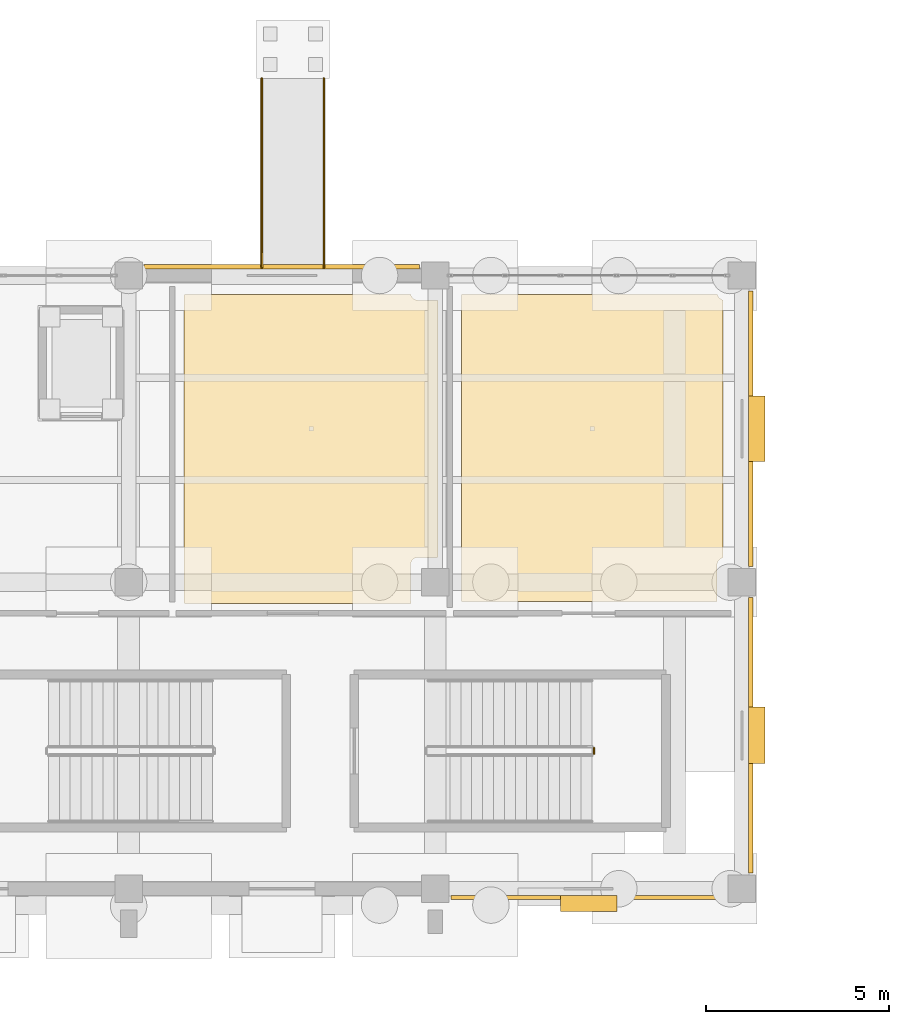
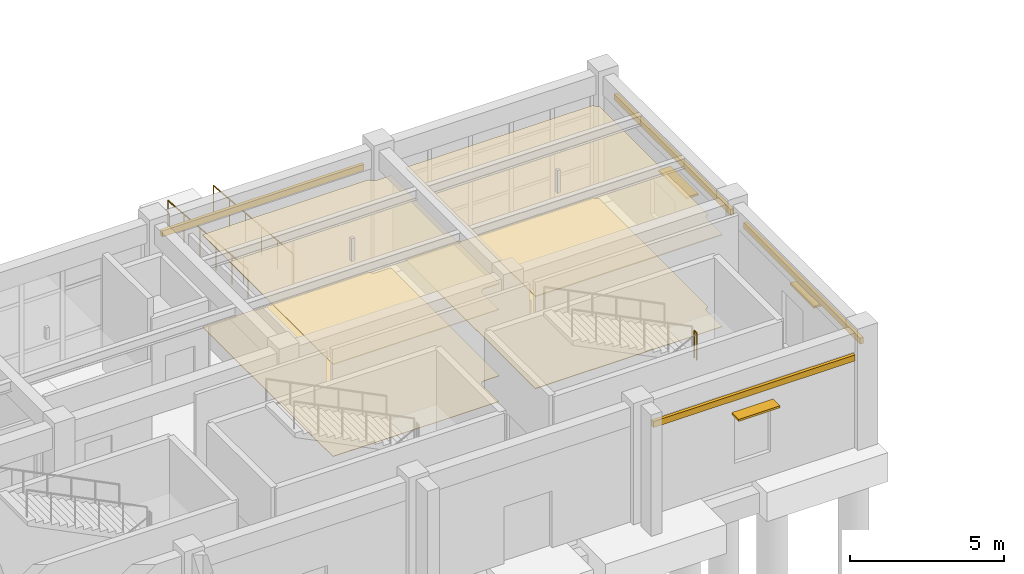
# One storey, part 27 of 29: 8 coverings, 3 railings, 3 shading devices.
"""IFC4 building model written with IfcOpenShell, lengths in metres."""

from ifc_helpers import new_model, si_unit, direction, frame, origin, origin_2d, place, context, subcontext, project, spatial, polyline, rectangle, circle, outline, extrude, material, layer, layer_set, type_object, element, save


model = new_model("IFC4")

# Units and contexts
model_context = context("Model", 3, precision=1e-05, world=origin(), true_north=direction((0.0, 1.0)))
body_context = subcontext(model_context, "Body", "Model", "MODEL_VIEW")
ifc_project = project(units=[si_unit("LENGTHUNIT", "METRE"), si_unit("AREAUNIT", "SQUARE_METRE"), si_unit("VOLUMEUNIT", "CUBIC_METRE"), si_unit("PLANEANGLEUNIT", "RADIAN"), si_unit("MASSUNIT", "GRAM", prefix="KILO")], contexts=[model_context])

# Site, building, storey
site_placement = place(None, origin())
site = spatial("IfcSite", under=ifc_project, at=site_placement, CompositionType="ELEMENT")
building_placement = place(site_placement, origin())
building = spatial("IfcBuilding", under=site, at=building_placement, Name="Canglan Escarpment Cableway Terminal", CompositionType="ELEMENT")
storey_placement = place(building_placement, origin())
storey = spatial("IfcBuildingStorey", under=building, at=storey_placement, Name="L00", CompositionType="ELEMENT", Elevation=0.0)

# Coverings
ifc_material_1 = material(Name="Micro-perforated acoustic aluminium ceiling", Category="aluminium")
ifc_layer_1 = layer(ifc_material_1, 0.0400390625, Name="Micro-perforated acoustic aluminium ceiling")
ifc_layer_set_1 = layer_set([ifc_layer_1], Name="Micro-perforated acoustic aluminium ceiling")
covering_type_1 = type_object("IfcCoveringType", Name="COV-CEIL-ACOUSTIC-40", PredefinedType="CEILING", material=ifc_layer_set_1)
covering_1_placement = place(storey_placement, frame((0.0, 0.0, 3.6298828125)))
element("IfcCovering", 1, at=covering_1_placement, inside=storey, type_object=covering_type_1, Name="Passenger Waiting Lounge suspended acoustic ceiling", PredefinedType="CEILING", context=body_context, shape_type="SweptSolid", body=[
    extrude(outline(polyline([(68.43994140625, 15.8701171875), (68.43798828125, 15.8701171875), (68.43603515625, 15.870361328125), (68.43408203125, 15.870849609375), (68.432373046875, 15.87158203125), (68.4306640625, 15.872314453125), (68.428955078125, 15.873291015625), (68.42724609375, 15.87451171875), (68.42578125, 15.8759765625), (68.424560546875, 15.877197265625), (68.42333984375, 15.87890625), (68.42236328125, 15.880615234375), (68.42138671875, 15.88232421875), (68.4208984375, 15.88427734375), (68.42041015625, 15.885986328125), (68.420166015625, 15.887939453125), (68.419921875, 15.889892578125), (68.419921875, 24.260009765625), (68.420166015625, 24.261962890625), (68.42041015625, 24.263916015625), (68.4208984375, 24.265869140625), (68.42138671875, 24.267578125), (68.42236328125, 24.269287109375), (68.42333984375, 24.27099609375), (68.424560546875, 24.272705078125), (68.42578125, 24.274169921875), (68.42724609375, 24.275390625), (68.428955078125, 24.276611328125), (68.4306640625, 24.277587890625), (68.432373046875, 24.278564453125), (68.43408203125, 24.279052734375), (68.43603515625, 24.279541015625), (68.43798828125, 24.27978515625), (68.43994140625, 24.280029296875), (75.4140625, 24.280029296875), (75.416015625, 24.27978515625), (75.417724609375, 24.279541015625), (75.419677734375, 24.279296875), (75.42138671875, 24.278564453125), (75.423095703125, 24.27783203125), (75.4248046875, 24.27685546875), (75.42626953125, 24.27587890625), (75.427734375, 24.274658203125), (75.428955078125, 24.273193359375), (75.43017578125, 24.271728515625), (75.43115234375, 24.270263671875), (75.43212890625, 24.2685546875), (75.432861328125, 24.2666015625), (75.4365234375, 24.25634765625), (75.43701171875, 24.25537109375), (75.44580078125, 24.23681640625), (75.4462890625, 24.23583984375), (75.456787109375, 24.21826171875), (75.45751953125, 24.21728515625), (75.469482421875, 24.20068359375), (75.47021484375, 24.2001953125), (75.484130859375, 24.184814453125), (75.48486328125, 24.18408203125), (75.5, 24.17041015625), (75.500732421875, 24.169677734375), (75.517333984375, 24.157470703125), (75.518310546875, 24.15673828125), (75.535888671875, 24.146240234375), (75.53662109375, 24.145751953125), (75.555419921875, 24.136962890625), (75.556396484375, 24.13671875), (75.566650390625, 24.1328125), (75.568603515625, 24.132080078125), (75.5703125, 24.131103515625), (75.57177734375, 24.130126953125), (75.5732421875, 24.12890625), (75.57470703125, 24.127685546875), (75.57568359375, 24.126220703125), (75.576904296875, 24.124755859375), (75.577880859375, 24.123046875), (75.57861328125, 24.121337890625), (75.5791015625, 24.11962890625), (75.57958984375, 24.117919921875), (75.579833984375, 24.115966796875), (75.580078125, 24.114013671875), (75.580078125, 17.0859375), (75.579833984375, 17.083984375), (75.57958984375, 17.082275390625), (75.5791015625, 17.080322265625), (75.57861328125, 17.07861328125), (75.577880859375, 17.076904296875), (75.576904296875, 17.0751953125), (75.57568359375, 17.07373046875), (75.57470703125, 17.072265625), (75.5732421875, 17.071044921875), (75.57177734375, 17.06982421875), (75.5703125, 17.06884765625), (75.568603515625, 17.06787109375), (75.566650390625, 17.067138671875), (75.556396484375, 17.0634765625), (75.555419921875, 17.06298828125), (75.53662109375, 17.05419921875), (75.535888671875, 17.0537109375), (75.518310546875, 17.043212890625), (75.517333984375, 17.04248046875), (75.500732421875, 17.030517578125), (75.5, 17.02978515625), (75.48486328125, 17.015869140625), (75.484130859375, 17.01513671875), (75.47021484375, 17.0), (75.469482421875, 16.999267578125), (75.45751953125, 16.982666015625), (75.456787109375, 16.981689453125), (75.4462890625, 16.964111328125), (75.44580078125, 16.96337890625), (75.43701171875, 16.944580078125), (75.4365234375, 16.943603515625), (75.4296875, 16.92431640625), (75.429443359375, 16.92333984375), (75.42431640625, 16.9033203125), (75.42431640625, 16.90234375), (75.421142578125, 16.882080078125), (75.4208984375, 16.881103515625), (75.419921875, 16.860107421875), (75.419921875, 16.85986328125), (75.419921875, 15.940185546875), (75.419921875, 15.939697265625), (75.4208984375, 15.9189453125), (75.421142578125, 15.91796875), (75.42431640625, 15.897705078125), (75.42431640625, 15.896484375), (75.4248046875, 15.89501953125), (75.42529296875, 15.89306640625), (75.42529296875, 15.89111328125), (75.42529296875, 15.88916015625), (75.42529296875, 15.88720703125), (75.4248046875, 15.885498046875), (75.42431640625, 15.883544921875), (75.423583984375, 15.8818359375), (75.422607421875, 15.880126953125), (75.421630859375, 15.87841796875), (75.42041015625, 15.876953125), (75.419189453125, 15.87548828125), (75.417724609375, 15.874267578125), (75.416259765625, 15.873291015625), (75.41455078125, 15.872314453125), (75.412841796875, 15.871337890625), (75.410888671875, 15.870849609375), (75.4091796875, 15.870361328125), (75.4072265625, 15.8701171875), (75.405517578125, 15.8701171875), (68.43994140625, 15.8701171875)])), origin(), (0.0, 0.0, 1.0), 0.0400390625),
])
ifc_material_2 = material(Name="Moisture-resistant acoustic gypsum ceiling", Category="gypsum")
ifc_layer_2 = layer(ifc_material_2, 0.030029296875, Name="Moisture-resistant acoustic gypsum ceiling")
ifc_layer_set_2 = layer_set([ifc_layer_2], Name="Moisture-resistant acoustic gypsum ceiling")
covering_type_2 = type_object("IfcCoveringType", Name="COV-CEIL-GYPSUM-30", PredefinedType="CEILING", material=ifc_layer_set_2)
covering_2_placement = place(storey_placement, frame((0.0, 0.0, 3.639892578125)))
element("IfcCovering", 2, at=covering_2_placement, inside=storey, type_object=covering_type_2, Name="Retail Bookshop suspended acoustic ceiling", PredefinedType="CEILING", context=body_context, shape_type="SweptSolid", body=[
    extrude(outline(polyline([(60.840087890625, 15.820068359375), (60.837890625, 15.820068359375), (60.836181640625, 15.8203125), (60.834228515625, 15.82080078125), (60.832275390625, 15.821533203125), (60.83056640625, 15.822509765625), (60.828857421875, 15.823486328125), (60.827392578125, 15.824462890625), (60.825927734375, 15.825927734375), (60.824462890625, 15.827392578125), (60.823486328125, 15.828857421875), (60.822509765625, 15.83056640625), (60.821533203125, 15.832275390625), (60.82080078125, 15.834228515625), (60.8203125, 15.836181640625), (60.820068359375, 15.837890625), (60.820068359375, 15.840087890625), (60.820068359375, 24.260009765625), (60.820068359375, 24.261962890625), (60.8203125, 24.263916015625), (60.82080078125, 24.265869140625), (60.821533203125, 24.267578125), (60.822509765625, 24.269287109375), (60.823486328125, 24.27099609375), (60.824462890625, 24.272705078125), (60.825927734375, 24.274169921875), (60.827392578125, 24.275390625), (60.828857421875, 24.276611328125), (60.83056640625, 24.277587890625), (60.832275390625, 24.278564453125), (60.834228515625, 24.279052734375), (60.836181640625, 24.279541015625), (60.837890625, 24.27978515625), (60.840087890625, 24.280029296875), (67.013916015625, 24.280029296875), (67.015869140625, 24.27978515625), (67.017822265625, 24.279541015625), (67.01953125, 24.279296875), (67.021484375, 24.278564453125), (67.023193359375, 24.27783203125), (67.024658203125, 24.27685546875), (67.0263671875, 24.27587890625), (67.027587890625, 24.274658203125), (67.029052734375, 24.273193359375), (67.0302734375, 24.271728515625), (67.03125, 24.270263671875), (67.031982421875, 24.2685546875), (67.03271484375, 24.2666015625), (67.03662109375, 24.25634765625), (67.037109375, 24.25537109375), (67.0458984375, 24.23681640625), (67.046142578125, 24.23583984375), (67.056884765625, 24.21826171875), (67.057373046875, 24.21728515625), (67.069580078125, 24.20068359375), (67.0703125, 24.2001953125), (67.083984375, 24.184814453125), (67.084716796875, 24.18408203125), (67.10009765625, 24.17041015625), (67.100830078125, 24.169677734375), (67.117431640625, 24.157470703125), (67.1181640625, 24.15673828125), (67.135986328125, 24.146240234375), (67.13671875, 24.145751953125), (67.155517578125, 24.136962890625), (67.15625, 24.13671875), (67.17578125, 24.129638671875), (67.176513671875, 24.12939453125), (67.196533203125, 24.124267578125), (67.197509765625, 24.124267578125), (67.218017578125, 24.12109375), (67.218994140625, 24.12109375), (67.23974609375, 24.1201171875), (67.240234375, 24.1201171875), (67.760009765625, 24.1201171875), (67.761962890625, 24.119873046875), (67.763916015625, 24.11962890625), (67.765869140625, 24.119140625), (67.767578125, 24.118408203125), (67.769287109375, 24.11767578125), (67.77099609375, 24.11669921875), (67.772705078125, 24.115478515625), (67.774169921875, 24.114013671875), (67.775390625, 24.11279296875), (67.776611328125, 24.111083984375), (67.777587890625, 24.109375), (67.778564453125, 24.107666015625), (67.779052734375, 24.105712890625), (67.779541015625, 24.10400390625), (67.77978515625, 24.10205078125), (67.780029296875, 24.10009765625), (67.780029296875, 17.10009765625), (67.77978515625, 17.097900390625), (67.779541015625, 17.09619140625), (67.779052734375, 17.09423828125), (67.778564453125, 17.09228515625), (67.777587890625, 17.090576171875), (67.776611328125, 17.0888671875), (67.775390625, 17.08740234375), (67.774169921875, 17.0859375), (67.772705078125, 17.08447265625), (67.77099609375, 17.08349609375), (67.769287109375, 17.08251953125), (67.767578125, 17.08154296875), (67.765869140625, 17.080810546875), (67.763916015625, 17.080322265625), (67.761962890625, 17.080078125), (67.760009765625, 17.080078125), (67.240234375, 17.080078125), (67.23974609375, 17.080078125), (67.218994140625, 17.0791015625), (67.218017578125, 17.078857421875), (67.197509765625, 17.07568359375), (67.196533203125, 17.07568359375), (67.176513671875, 17.070556640625), (67.17578125, 17.0703125), (67.15625, 17.0634765625), (67.155517578125, 17.06298828125), (67.13671875, 17.05419921875), (67.135986328125, 17.0537109375), (67.1181640625, 17.043212890625), (67.117431640625, 17.04248046875), (67.100830078125, 17.030517578125), (67.10009765625, 17.02978515625), (67.084716796875, 17.015869140625), (67.083984375, 17.01513671875), (67.0703125, 17.0), (67.069580078125, 16.999267578125), (67.057373046875, 16.982666015625), (67.056884765625, 16.981689453125), (67.046142578125, 16.964111328125), (67.0458984375, 16.96337890625), (67.037109375, 16.944580078125), (67.03662109375, 16.943603515625), (67.029541015625, 16.92431640625), (67.029296875, 16.92333984375), (67.0244140625, 16.9033203125), (67.024169921875, 16.90234375), (67.02099609375, 16.882080078125), (67.02099609375, 16.881103515625), (67.02001953125, 16.860107421875), (67.02001953125, 16.85986328125), (67.02001953125, 15.940185546875), (67.02001953125, 15.939697265625), (67.02099609375, 15.9189453125), (67.02099609375, 15.91796875), (67.024169921875, 15.897705078125), (67.0244140625, 15.896484375), (67.029296875, 15.876708984375), (67.029541015625, 15.875732421875), (67.03662109375, 15.856201171875), (67.037109375, 15.85546875), (67.040283203125, 15.8486328125), (67.041015625, 15.8466796875), (67.04150390625, 15.8447265625), (67.0419921875, 15.8427734375), (67.0419921875, 15.8408203125), (67.0419921875, 15.8388671875), (67.041748046875, 15.8369140625), (67.04150390625, 15.834716796875), (67.040771484375, 15.8330078125), (67.0400390625, 15.8310546875), (67.0390625, 15.829345703125), (67.037841796875, 15.82763671875), (67.03662109375, 15.826171875), (67.03515625, 15.82470703125), (67.033447265625, 15.823486328125), (67.03173828125, 15.822509765625), (67.02978515625, 15.821533203125), (67.028076171875, 15.82080078125), (67.026123046875, 15.8203125), (67.024169921875, 15.820068359375), (67.022216796875, 15.820068359375), (60.840087890625, 15.820068359375)])), origin(), (0.0, 0.0, 1.0), 0.030029296875),
])
ifc_material_3 = material(Name="Carved classical limestone cornice", Category="masonry")
ifc_layer_3 = layer(ifc_material_3, 0.1201171875, Name="Carved classical limestone cornice")
ifc_layer_set_3 = layer_set([ifc_layer_3], Name="Carved classical limestone cornice")
covering_type_3 = type_object("IfcCoveringType", Name="COV-CORNICE-STONE", PredefinedType="CLADDING", material=ifc_layer_set_3)
for number, where, z_axis, x_axis, name in (
    (3, (71.89990234375, 7.760009765625, 3.52490234375), (0.0, 0.0, 1.0), (1.0, 0.0, 0.0), "Classical carved limestone cornice CL-01"),
    (4, (76.340087890625, 12.199951171875, 3.52490234375), (0.0, 0.0, 1.0), (0.0, 1.0, 0.0), "Classical carved limestone cornice CL-01"),
    (5, (76.340087890625, 20.60009765625, 3.52490234375), (0.0, 0.0, 1.0), (0.0, 1.0, 0.0), "Classical carved limestone cornice CL-01"),
    (6, (63.5, 25.0400390625, 3.52490234375), (0.0, 0.0, 1.0), (-1.0, 0.0, 0.0), "Classical carved limestone cornice CL-01"),
):
    element("IfcCovering", number, at=place(storey_placement, frame(where, z_axis=z_axis, x_axis=x_axis)), inside=storey, type_object=covering_type_3, Name=name, PredefinedType="CLADDING", context=body_context, shape_type="SweptSolid", body=[
        extrude(rectangle(XDim=7.550048828125, YDim=0.1201171875, at=origin_2d()), origin(), (0.0, 0.0, 1.0), 0.239990234375),
    ])
ifc_material_4 = material(Name="Honed Sichuan grey granite flooring", Category="masonry")
ifc_layer_4 = layer(ifc_material_4, 0.02001953125, Name="Honed Sichuan grey granite flooring")
ifc_layer_set_4 = layer_set([ifc_layer_4], Name="Honed Sichuan grey granite flooring")
covering_type_4 = type_object("IfcCoveringType", Name="COV-FLR-GRANITE-20", PredefinedType="FLOORING", material=ifc_layer_set_4)
covering_3_placement = place(storey_placement, origin())
element("IfcCovering", 7, at=covering_3_placement, inside=storey, type_object=covering_type_4, Name="Passenger Waiting Lounge stone floor finish", PredefinedType="FLOORING", context=body_context, shape_type="SweptSolid", body=[
    extrude(outline(polyline([(68.43994140625, 15.8701171875), (68.43798828125, 15.8701171875), (68.43603515625, 15.870361328125), (68.43408203125, 15.870849609375), (68.432373046875, 15.87158203125), (68.4306640625, 15.872314453125), (68.428955078125, 15.873291015625), (68.42724609375, 15.87451171875), (68.42578125, 15.8759765625), (68.424560546875, 15.877197265625), (68.42333984375, 15.87890625), (68.42236328125, 15.880615234375), (68.42138671875, 15.88232421875), (68.4208984375, 15.88427734375), (68.42041015625, 15.885986328125), (68.420166015625, 15.887939453125), (68.419921875, 15.889892578125), (68.419921875, 24.260009765625), (68.420166015625, 24.261962890625), (68.42041015625, 24.263916015625), (68.4208984375, 24.265869140625), (68.42138671875, 24.267578125), (68.42236328125, 24.269287109375), (68.42333984375, 24.27099609375), (68.424560546875, 24.272705078125), (68.42578125, 24.274169921875), (68.42724609375, 24.275390625), (68.428955078125, 24.276611328125), (68.4306640625, 24.277587890625), (68.432373046875, 24.278564453125), (68.43408203125, 24.279052734375), (68.43603515625, 24.279541015625), (68.43798828125, 24.27978515625), (68.43994140625, 24.280029296875), (75.4140625, 24.280029296875), (75.416015625, 24.27978515625), (75.417724609375, 24.279541015625), (75.419677734375, 24.279296875), (75.42138671875, 24.278564453125), (75.423095703125, 24.27783203125), (75.4248046875, 24.27685546875), (75.42626953125, 24.27587890625), (75.427734375, 24.274658203125), (75.428955078125, 24.273193359375), (75.43017578125, 24.271728515625), (75.43115234375, 24.270263671875), (75.43212890625, 24.2685546875), (75.432861328125, 24.2666015625), (75.4365234375, 24.25634765625), (75.43701171875, 24.25537109375), (75.44580078125, 24.23681640625), (75.4462890625, 24.23583984375), (75.456787109375, 24.21826171875), (75.45751953125, 24.21728515625), (75.469482421875, 24.20068359375), (75.47021484375, 24.2001953125), (75.484130859375, 24.184814453125), (75.48486328125, 24.18408203125), (75.5, 24.17041015625), (75.500732421875, 24.169677734375), (75.517333984375, 24.157470703125), (75.518310546875, 24.15673828125), (75.535888671875, 24.146240234375), (75.53662109375, 24.145751953125), (75.555419921875, 24.136962890625), (75.556396484375, 24.13671875), (75.566650390625, 24.1328125), (75.568603515625, 24.132080078125), (75.5703125, 24.131103515625), (75.57177734375, 24.130126953125), (75.5732421875, 24.12890625), (75.57470703125, 24.127685546875), (75.57568359375, 24.126220703125), (75.576904296875, 24.124755859375), (75.577880859375, 24.123046875), (75.57861328125, 24.121337890625), (75.5791015625, 24.11962890625), (75.57958984375, 24.117919921875), (75.579833984375, 24.115966796875), (75.580078125, 24.114013671875), (75.580078125, 17.0859375), (75.579833984375, 17.083984375), (75.57958984375, 17.082275390625), (75.5791015625, 17.080322265625), (75.57861328125, 17.07861328125), (75.577880859375, 17.076904296875), (75.576904296875, 17.0751953125), (75.57568359375, 17.07373046875), (75.57470703125, 17.072265625), (75.5732421875, 17.071044921875), (75.57177734375, 17.06982421875), (75.5703125, 17.06884765625), (75.568603515625, 17.06787109375), (75.566650390625, 17.067138671875), (75.556396484375, 17.0634765625), (75.555419921875, 17.06298828125), (75.53662109375, 17.05419921875), (75.535888671875, 17.0537109375), (75.518310546875, 17.043212890625), (75.517333984375, 17.04248046875), (75.500732421875, 17.030517578125), (75.5, 17.02978515625), (75.48486328125, 17.015869140625), (75.484130859375, 17.01513671875), (75.47021484375, 17.0), (75.469482421875, 16.999267578125), (75.45751953125, 16.982666015625), (75.456787109375, 16.981689453125), (75.4462890625, 16.964111328125), (75.44580078125, 16.96337890625), (75.43701171875, 16.944580078125), (75.4365234375, 16.943603515625), (75.4296875, 16.92431640625), (75.429443359375, 16.92333984375), (75.42431640625, 16.9033203125), (75.42431640625, 16.90234375), (75.421142578125, 16.882080078125), (75.4208984375, 16.881103515625), (75.419921875, 16.860107421875), (75.419921875, 16.85986328125), (75.419921875, 15.940185546875), (75.419921875, 15.939697265625), (75.4208984375, 15.9189453125), (75.421142578125, 15.91796875), (75.42431640625, 15.897705078125), (75.42431640625, 15.896484375), (75.4248046875, 15.89501953125), (75.42529296875, 15.89306640625), (75.42529296875, 15.89111328125), (75.42529296875, 15.88916015625), (75.42529296875, 15.88720703125), (75.4248046875, 15.885498046875), (75.42431640625, 15.883544921875), (75.423583984375, 15.8818359375), (75.422607421875, 15.880126953125), (75.421630859375, 15.87841796875), (75.42041015625, 15.876953125), (75.419189453125, 15.87548828125), (75.417724609375, 15.874267578125), (75.416259765625, 15.873291015625), (75.41455078125, 15.872314453125), (75.412841796875, 15.871337890625), (75.410888671875, 15.870849609375), (75.4091796875, 15.870361328125), (75.4072265625, 15.8701171875), (75.405517578125, 15.8701171875), (68.43994140625, 15.8701171875)])), origin(), (0.0, 0.0, 1.0), 0.02001953125),
])
ifc_material_5 = material(Name="Polished mineral terrazzo flooring", Category="concrete")
ifc_layer_5 = layer(ifc_material_5, 0.02001953125, Name="Polished mineral terrazzo flooring")
ifc_layer_set_5 = layer_set([ifc_layer_5], Name="Polished mineral terrazzo flooring")
covering_type_5 = type_object("IfcCoveringType", Name="COV-FLR-TERRAZZO-20", PredefinedType="FLOORING", material=ifc_layer_set_5)
covering_4_placement = place(storey_placement, origin())
element("IfcCovering", 8, at=covering_4_placement, inside=storey, type_object=covering_type_5, Name="Retail Bookshop stone floor finish", PredefinedType="FLOORING", context=body_context, shape_type="SweptSolid", body=[
    extrude(outline(polyline([(60.840087890625, 15.820068359375), (60.837890625, 15.820068359375), (60.836181640625, 15.8203125), (60.834228515625, 15.82080078125), (60.832275390625, 15.821533203125), (60.83056640625, 15.822509765625), (60.828857421875, 15.823486328125), (60.827392578125, 15.824462890625), (60.825927734375, 15.825927734375), (60.824462890625, 15.827392578125), (60.823486328125, 15.828857421875), (60.822509765625, 15.83056640625), (60.821533203125, 15.832275390625), (60.82080078125, 15.834228515625), (60.8203125, 15.836181640625), (60.820068359375, 15.837890625), (60.820068359375, 15.840087890625), (60.820068359375, 24.260009765625), (60.820068359375, 24.261962890625), (60.8203125, 24.263916015625), (60.82080078125, 24.265869140625), (60.821533203125, 24.267578125), (60.822509765625, 24.269287109375), (60.823486328125, 24.27099609375), (60.824462890625, 24.272705078125), (60.825927734375, 24.274169921875), (60.827392578125, 24.275390625), (60.828857421875, 24.276611328125), (60.83056640625, 24.277587890625), (60.832275390625, 24.278564453125), (60.834228515625, 24.279052734375), (60.836181640625, 24.279541015625), (60.837890625, 24.27978515625), (60.840087890625, 24.280029296875), (67.013916015625, 24.280029296875), (67.015869140625, 24.27978515625), (67.017822265625, 24.279541015625), (67.01953125, 24.279296875), (67.021484375, 24.278564453125), (67.023193359375, 24.27783203125), (67.024658203125, 24.27685546875), (67.0263671875, 24.27587890625), (67.027587890625, 24.274658203125), (67.029052734375, 24.273193359375), (67.0302734375, 24.271728515625), (67.03125, 24.270263671875), (67.031982421875, 24.2685546875), (67.03271484375, 24.2666015625), (67.03662109375, 24.25634765625), (67.037109375, 24.25537109375), (67.0458984375, 24.23681640625), (67.046142578125, 24.23583984375), (67.056884765625, 24.21826171875), (67.057373046875, 24.21728515625), (67.069580078125, 24.20068359375), (67.0703125, 24.2001953125), (67.083984375, 24.184814453125), (67.084716796875, 24.18408203125), (67.10009765625, 24.17041015625), (67.100830078125, 24.169677734375), (67.117431640625, 24.157470703125), (67.1181640625, 24.15673828125), (67.135986328125, 24.146240234375), (67.13671875, 24.145751953125), (67.155517578125, 24.136962890625), (67.15625, 24.13671875), (67.17578125, 24.129638671875), (67.176513671875, 24.12939453125), (67.196533203125, 24.124267578125), (67.197509765625, 24.124267578125), (67.218017578125, 24.12109375), (67.218994140625, 24.12109375), (67.23974609375, 24.1201171875), (67.240234375, 24.1201171875), (67.760009765625, 24.1201171875), (67.761962890625, 24.119873046875), (67.763916015625, 24.11962890625), (67.765869140625, 24.119140625), (67.767578125, 24.118408203125), (67.769287109375, 24.11767578125), (67.77099609375, 24.11669921875), (67.772705078125, 24.115478515625), (67.774169921875, 24.114013671875), (67.775390625, 24.11279296875), (67.776611328125, 24.111083984375), (67.777587890625, 24.109375), (67.778564453125, 24.107666015625), (67.779052734375, 24.105712890625), (67.779541015625, 24.10400390625), (67.77978515625, 24.10205078125), (67.780029296875, 24.10009765625), (67.780029296875, 17.10009765625), (67.77978515625, 17.097900390625), (67.779541015625, 17.09619140625), (67.779052734375, 17.09423828125), (67.778564453125, 17.09228515625), (67.777587890625, 17.090576171875), (67.776611328125, 17.0888671875), (67.775390625, 17.08740234375), (67.774169921875, 17.0859375), (67.772705078125, 17.08447265625), (67.77099609375, 17.08349609375), (67.769287109375, 17.08251953125), (67.767578125, 17.08154296875), (67.765869140625, 17.080810546875), (67.763916015625, 17.080322265625), (67.761962890625, 17.080078125), (67.760009765625, 17.080078125), (67.240234375, 17.080078125), (67.23974609375, 17.080078125), (67.218994140625, 17.0791015625), (67.218017578125, 17.078857421875), (67.197509765625, 17.07568359375), (67.196533203125, 17.07568359375), (67.176513671875, 17.070556640625), (67.17578125, 17.0703125), (67.15625, 17.0634765625), (67.155517578125, 17.06298828125), (67.13671875, 17.05419921875), (67.135986328125, 17.0537109375), (67.1181640625, 17.043212890625), (67.117431640625, 17.04248046875), (67.100830078125, 17.030517578125), (67.10009765625, 17.02978515625), (67.084716796875, 17.015869140625), (67.083984375, 17.01513671875), (67.0703125, 17.0), (67.069580078125, 16.999267578125), (67.057373046875, 16.982666015625), (67.056884765625, 16.981689453125), (67.046142578125, 16.964111328125), (67.0458984375, 16.96337890625), (67.037109375, 16.944580078125), (67.03662109375, 16.943603515625), (67.029541015625, 16.92431640625), (67.029296875, 16.92333984375), (67.0244140625, 16.9033203125), (67.024169921875, 16.90234375), (67.02099609375, 16.882080078125), (67.02099609375, 16.881103515625), (67.02001953125, 16.860107421875), (67.02001953125, 16.85986328125), (67.02001953125, 15.940185546875), (67.02001953125, 15.939697265625), (67.02099609375, 15.9189453125), (67.02099609375, 15.91796875), (67.024169921875, 15.897705078125), (67.0244140625, 15.896484375), (67.029296875, 15.876708984375), (67.029541015625, 15.875732421875), (67.03662109375, 15.856201171875), (67.037109375, 15.85546875), (67.040283203125, 15.8486328125), (67.041015625, 15.8466796875), (67.04150390625, 15.8447265625), (67.0419921875, 15.8427734375), (67.0419921875, 15.8408203125), (67.0419921875, 15.8388671875), (67.041748046875, 15.8369140625), (67.04150390625, 15.834716796875), (67.040771484375, 15.8330078125), (67.0400390625, 15.8310546875), (67.0390625, 15.829345703125), (67.037841796875, 15.82763671875), (67.03662109375, 15.826171875), (67.03515625, 15.82470703125), (67.033447265625, 15.823486328125), (67.03173828125, 15.822509765625), (67.02978515625, 15.821533203125), (67.028076171875, 15.82080078125), (67.026123046875, 15.8203125), (67.024169921875, 15.820068359375), (67.022216796875, 15.820068359375), (60.840087890625, 15.820068359375)])), origin(), (0.0, 0.0, 1.0), 0.02001953125),
])

# Railings
ifc_material_6 = material(Name="Brushed stainless steel 316 handrail", Category="steel")
railing_type_1 = type_object("IfcRailingType", Name="RL-EXT-HANDRAIL-1150", PredefinedType="HANDRAIL", material=ifc_material_6)
for number, where, name in (
    (9, (62.949951171875, 30.199951171875, -0.449951171875), "Accessible Forecourt Entrance Ramp 2 guard-handrail 1"),
    (10, (64.64990234375, 30.199951171875, -0.449951171875), "Accessible Forecourt Entrance Ramp 2 guard-handrail 2"),
):
    element("IfcRailing", number, at=place(storey_placement, frame(where)), inside=storey, type_object=railing_type_1, Name=name, PredefinedType="HANDRAIL", context=body_context, shape_type="SweptSolid", body=[
        extrude(circle(Radius=0.02392578125, at=origin_2d()), frame((0.0, 0.0, 1.1259765625), z_axis=(0.0, -0.996584843777, 0.082575112191), x_axis=(1.0, 0.0, 0.0)), (0.0, 0.0, 1.0), 5.19775390625),
        extrude(circle(Radius=0.02099609375, at=origin_2d()), origin(), (0.0, 0.0, 1.0), 1.101806640625),
        extrude(circle(Radius=0.02099609375, at=origin_2d()), frame((0.0, -1.035888671875, 0.0859375)), (0.0, 0.0, 1.0), 1.101806640625),
        extrude(circle(Radius=0.02099609375, at=origin_2d()), frame((0.0, -2.072021484375, 0.171630859375)), (0.0, 0.0, 1.0), 1.101806640625),
        extrude(circle(Radius=0.02099609375, at=origin_2d()), frame((0.0, -3.10791015625, 0.257568359375)), (0.0, 0.0, 1.0), 1.101806640625),
        extrude(circle(Radius=0.02099609375, at=origin_2d()), frame((0.0, -4.14404296875, 0.34326171875)), (0.0, 0.0, 1.0), 1.101806640625),
        extrude(circle(Radius=0.02099609375, at=origin_2d()), frame((0.0, -5.179931640625, 0.42919921875)), (0.0, 0.0, 1.0), 1.101806640625),
    ])
ifc_material_7 = material(Name="Powder-coated steel stair balustrade", Category="steel")
railing_type_2 = type_object("IfcRailingType", Name="RL-STR-GUARD-1100", PredefinedType="BALUSTRADE", material=ifc_material_7)
railing_placement = place(storey_placement, frame((72.050048828125, 11.699951171875, 2.39990234375)))
element("IfcRailing", 11, at=railing_placement, inside=storey, type_object=railing_type_2, Name="L00 ST-05 stair guard 2", PredefinedType="BALUSTRADE", context=body_context, shape_type="SweptSolid", body=[
    extrude(circle(Radius=0.02392578125, at=origin_2d()), frame((0.0, 0.0, 1.076171875), z_axis=(0.0, 1.0, 0.0), x_axis=(-1.0, 0.0, 0.0)), (0.0, 0.0, 1.0), 0.150146484375),
    extrude(circle(Radius=0.02099609375, at=origin_2d()), origin(), (0.0, 0.0, 1.0), 1.052001953125),
    extrude(circle(Radius=0.02099609375, at=origin_2d()), frame((0.0, 0.150146484375, 0.0)), (0.0, 0.0, 1.0), 1.052001953125),
])

# Shading devices
ifc_material_8 = material(Name="Anodized architectural bronze aluminium", Category="aluminium")
ifc_layer_6 = layer(ifc_material_8, 0.080078125, Name="Anodized architectural bronze aluminium")
ifc_layer_set_6 = layer_set([ifc_layer_6], Name="Anodized architectural bronze aluminium")
shading_device_type_1 = type_object("IfcShadingDeviceType", Name="SHD-BRONZE-LOUVRE-01", PredefinedType="JALOUSIE", material=ifc_layer_set_6)
shading_device_1_placement = place(storey_placement, frame((71.89990234375, 7.594970703125, 2.919921875), z_axis=(0.0, 0.0, 1.0), x_axis=(1.0, 0.0, 0.0)))
element("IfcShadingDevice", 12, at=shading_device_1_placement, inside=storey, type_object=shading_device_type_1, Name="Anodized bronze sun-shading brise-soleil SD-01", PredefinedType="JALOUSIE", context=body_context, shape_type="SweptSolid", body=[
    extrude(rectangle(XDim=1.550048828125, YDim=0.449951171875, at=origin_2d()), origin(), (0.0, 0.0, 1.0), 0.080078125),
])
shading_device_2_placement = place(storey_placement, frame((76.5048828125, 20.60009765625, 2.419921875), z_axis=(0.0, 0.0, 1.0), x_axis=(0.0, 1.0, 0.0)))
element("IfcShadingDevice", 13, at=shading_device_2_placement, inside=storey, type_object=shading_device_type_1, Name="Anodized bronze sun-shading brise-soleil SD-01", PredefinedType="JALOUSIE", context=body_context, shape_type="SweptSolid", body=[
    extrude(rectangle(XDim=1.800048828125, YDim=0.449951171875, at=origin_2d()), origin(), (0.0, 0.0, 1.0), 0.080078125),
])
ifc_layer_7 = layer(ifc_material_8, 0.10009765625, Name="Anodized architectural bronze aluminium")
ifc_layer_set_7 = layer_set([ifc_layer_7], Name="Anodized architectural bronze aluminium")
shading_device_type_2 = type_object("IfcShadingDeviceType", Name="SHD-BRONZE-LOUVRE-02", PredefinedType="JALOUSIE", material=ifc_layer_set_7)
shading_device_3_placement = place(storey_placement, frame((76.5048828125, 12.199951171875, 3.119873046875), z_axis=(0.0, 0.0, 1.0), x_axis=(0.0, 1.0, 0.0)))
element("IfcShadingDevice", 14, at=shading_device_3_placement, inside=storey, type_object=shading_device_type_2, Name="Anodized bronze sun-shading brise-soleil SD-01", PredefinedType="JALOUSIE", context=body_context, shape_type="SweptSolid", body=[
    extrude(rectangle(XDim=1.550048828125, YDim=0.449951171875, at=origin_2d()), origin(), (0.0, 0.0, 1.0), 0.080078125),
])

save(model, "model.ifc")
